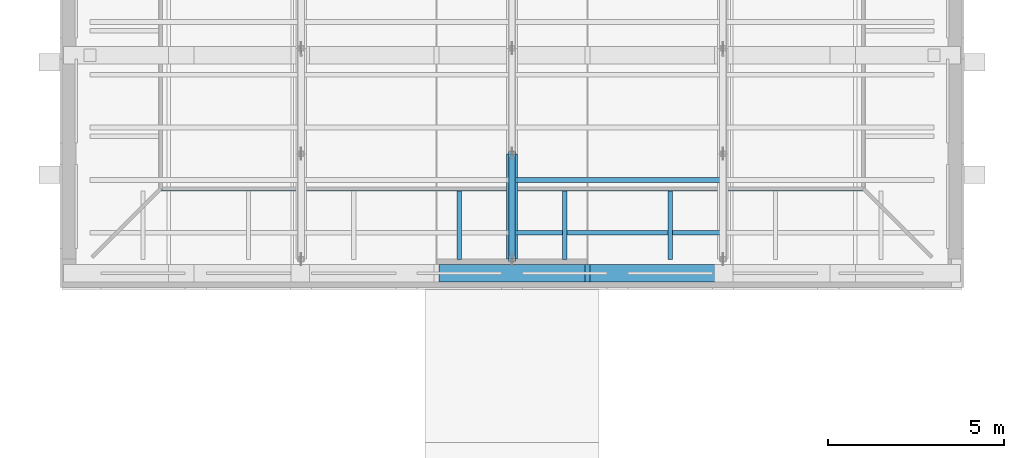
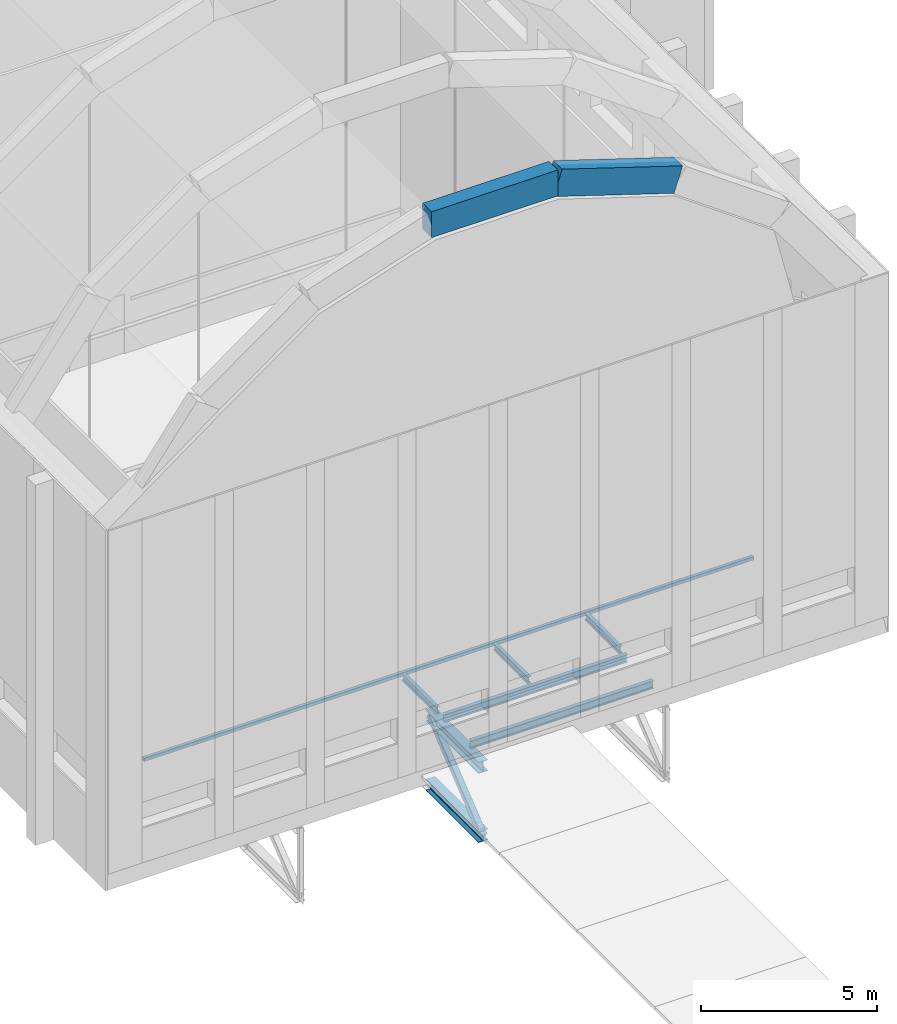
# One storey, part 3 of 55: 7 members, 4 beams.
"""IFC4 building model written with IfcOpenShell, lengths in metres."""

import ifcopenshell
import ifcopenshell.guid

model = None  # the IFC model being written
_history = None  # IfcOwnerHistory: only IFC2X3 demands one
_inside = {}  # id of a spatial element -> (the spatial element, [elements in it])
_under = {}  # id of a project, library or spatial element -> (it, [spatial elements below it])
_declared = {}  # id of a project -> (the project, [libraries it declares])
_typed = {}  # id of a type object -> (the type object, [elements of that type])
_made_of = {}  # id of a material, layer set ... -> (it, [elements and type objects made of it])


def new_model(schema):
    """Start an empty IFC model of exactly this schema.

    Asked for "IFC4X3", IfcOpenShell would pick the latest addendum, in which some entities
    have other attributes; the version numbers below select the first issue.
    IFC2X3 requires an IfcOwnerHistory on every rooted entity: one is made here for all.
    """
    global model, _history
    if schema == "IFC4X3":
        model = ifcopenshell.file(schema_version=(4, 3, 0, 0))
    else:
        model = ifcopenshell.file(schema=schema)
    _inside.clear()
    _under.clear()
    _declared.clear()
    _typed.clear()
    _made_of.clear()
    _history = None
    if model.schema == "IFC2X3":
        org = make("IfcOrganization", Name="unknown")
        user = make(
            "IfcPersonAndOrganization",
            ThePerson=make("IfcPerson", FamilyName="unknown"),
            TheOrganization=org,
        )
        app = make(
            "IfcApplication",
            ApplicationDeveloper=org,
            Version="unknown",
            ApplicationFullName="unknown",
            ApplicationIdentifier="unknown",
        )
        _history = make(
            "IfcOwnerHistory",
            OwningUser=user,
            OwningApplication=app,
            ChangeAction="ADDED",
            CreationDate=0,
        )
    return model


def make(cls, **values):
    """One entity of the class cls with the attributes given. An attribute that is None is left unset."""
    return model.create_entity(
        cls, **{name: value for name, value in values.items() if value is not None}
    )


def rooted(cls, **values):
    """An entity with a GlobalId (a new one), such as an element, a storey or a relation."""
    return make(cls, GlobalId=ifcopenshell.guid.new(), OwnerHistory=_history, **values)


def si_unit(unit_type, name, prefix=None):
    """IfcSIUnit, for example si_unit("LENGTHUNIT", "METRE", prefix="MILLI")."""
    return make("IfcSIUnit", UnitType=unit_type, Prefix=prefix, Name=name)


def assignment(units):
    """IfcUnitAssignment: the units of a project."""
    return None if units is None else make("IfcUnitAssignment", Units=units)


def point(xyz):
    """IfcCartesianPoint."""
    return None if xyz is None else make("IfcCartesianPoint", Coordinates=xyz)


def direction(xyz):
    """IfcDirection."""
    return None if xyz is None else make("IfcDirection", DirectionRatios=xyz)


def frame(location, z_axis=None, x_axis=None):
    """IfcAxis2Placement3D, a coordinate frame: its origin and axes. An axis left out is left unset."""
    return make(
        "IfcAxis2Placement3D",
        Location=point(location),
        Axis=direction(z_axis),
        RefDirection=direction(x_axis),
    )


def frame_2d(location, x_axis=None):
    """IfcAxis2Placement2D, a coordinate frame in the plane: its origin and x axis."""
    return make(
        "IfcAxis2Placement2D", Location=point(location), RefDirection=direction(x_axis)
    )


def origin():
    """The frame at (0, 0, 0) with its axes left unset."""
    return frame((0.0, 0.0, 0.0))


def origin_2d():
    """The frame at (0, 0) in the plane with its x axis left unset."""
    return frame_2d((0.0, 0.0))


def place(relative_to, where):
    """IfcLocalPlacement: puts the frame where relative to a parent placement (None: the world)."""
    return make(
        "IfcLocalPlacement", PlacementRelTo=relative_to, RelativePlacement=where
    )


def context(
    kind, dimensions, precision=None, world=None, true_north=None, identifier=None
):
    """IfcGeometricRepresentationContext, for example the 3D "Model" context."""
    return make(
        "IfcGeometricRepresentationContext",
        ContextIdentifier=identifier,
        ContextType=kind,
        CoordinateSpaceDimension=dimensions,
        Precision=precision,
        WorldCoordinateSystem=world,
        TrueNorth=true_north,
    )


def subcontext(parent, identifier, kind, view, scale=None):
    """IfcGeometricRepresentationSubContext, for example "Body" below "Model"."""
    return make(
        "IfcGeometricRepresentationSubContext",
        ContextIdentifier=identifier,
        ContextType=kind,
        ParentContext=parent,
        TargetScale=scale,
        TargetView=view,
    )


def project(units=None, contexts=None):
    """IfcProject with its units and contexts."""
    return rooted(
        "IfcProject",
        Name="project",
        RepresentationContexts=contexts,
        UnitsInContext=assignment(units),
    )


def spatial(cls, under=None, at=None, **own):
    """A site, building, storey or space (cls), placed at a placement, below another one or the project."""
    s = rooted(cls, ObjectPlacement=at, **own)
    if under is not None:
        _under.setdefault(under.id(), (under, []))[1].append(s)
    return s


def profile(cls, at=None, kind="AREA", **sizes):
    """A parametric profile (cls). Its sizes go by their IFC names, for example OverallWidth=200.0."""
    return make(cls, ProfileType=kind, Position=at, **sizes)


def rectangle(**sizes):
    """IfcRectangleProfileDef."""
    return profile("IfcRectangleProfileDef", **sizes)


def hollow_rectangle(**sizes):
    """IfcRectangleHollowProfileDef."""
    return profile("IfcRectangleHollowProfileDef", **sizes)


def i_section(**sizes):
    """IfcIShapeProfileDef."""
    return profile("IfcIShapeProfileDef", **sizes)


def extrude(swept, where, along, depth):
    """IfcExtrudedAreaSolid: the profile swept, set in the frame where, extruded along a direction by depth."""
    return make(
        "IfcExtrudedAreaSolid",
        SweptArea=swept,
        Position=where,
        ExtrudedDirection=direction(along),
        Depth=depth,
    )


def shape(context_of_items, identifier, shape_type, items):
    """IfcShapeRepresentation: the items that make up one representation, for example the "Body"."""
    return make(
        "IfcShapeRepresentation",
        ContextOfItems=context_of_items,
        RepresentationIdentifier=identifier,
        RepresentationType=shape_type,
        Items=items,
    )


def material(Name=None, Category=None):
    """IfcMaterial."""
    return make("IfcMaterial", Name=Name, Category=Category)


def material_profile(
    of_material, cross_section, Name=None, Category=None, Priority=None
):
    """IfcMaterialProfile: a cross section and its material."""
    return make(
        "IfcMaterialProfile",
        Name=Name,
        Material=of_material,
        Profile=cross_section,
        Priority=Priority,
        Category=Category,
    )


def profile_set(profiles, Name=None, composite=None):
    """IfcMaterialProfileSet."""
    return make(
        "IfcMaterialProfileSet",
        Name=Name,
        MaterialProfiles=profiles,
        CompositeProfile=composite,
    )


def made_of(thing, what):
    """Note that an element or type object is made of a material, layer set ...; save() writes the relation."""
    if what is not None:
        _made_of.setdefault(what.id(), (what, []))[1].append(thing)
    return thing


def type_object(cls, material=None, **own):
    """A type object (cls), such as IfcWallType, which elements share."""
    return made_of(rooted(cls, **own), material)


def element(
    cls,
    number,
    at=None,
    inside=None,
    cuts=None,
    type_object=None,
    material=None,
    context=None,
    identifier="Body",
    shape_type=None,
    held_by="IfcProductDefinitionShape",
    body=None,
    shapes=None,
    **own,
):
    """One element of the class cls, such as IfcWall. Its Tag is "e" and its number.

    at: its placement. inside: the storey or other place that contains it. cuts: it is an
    opening in that element (IfcRelVoidsElement). A single representation is given by context,
    identifier, shape_type and body (its items); several are given by shapes. held_by: the class
    of the entity that holds the representations. save() writes the other relations.
    """
    e = rooted(cls, Tag="e%d" % number, ObjectPlacement=at, **own)
    if body is not None:
        shapes = [shape(context, identifier, shape_type, body)]
    if shapes is not None:
        e.Representation = make(held_by, Representations=shapes)
    if inside is not None:
        _inside.setdefault(inside.id(), (inside, []))[1].append(e)
    if cuts is not None:
        rooted(
            "IfcRelVoidsElement", RelatingBuildingElement=cuts, RelatedOpeningElement=e
        )
    if type_object is not None:
        _typed.setdefault(type_object.id(), (type_object, []))[1].append(e)
    return made_of(e, material)


def aggregate(whole, parts):
    """IfcRelAggregates: a whole, such as a stair, and the parts it consists of."""
    return rooted("IfcRelAggregates", RelatingObject=whole, RelatedObjects=parts)


def save(model, path):
    """Write the relations noted so far, then the file.

    IfcRelAggregates (storeys below a building ...), IfcRelContainedInSpatialStructure (elements
    in a storey), IfcRelDefinesByType, IfcRelAssociatesMaterial and IfcRelDeclares: one each for
    every whole, place, type object, material and project.
    """
    for whole, parts in _under.values():
        aggregate(whole, parts)
    for where, things in _inside.values():
        rooted(
            "IfcRelContainedInSpatialStructure",
            RelatedElements=things,
            RelatingStructure=where,
        )
    for kind, things in _typed.values():
        rooted("IfcRelDefinesByType", RelatedObjects=things, RelatingType=kind)
    for what, things in _made_of.values():
        rooted("IfcRelAssociatesMaterial", RelatedObjects=things, RelatingMaterial=what)
    for by, libraries in _declared.values():
        rooted("IfcRelDeclares", RelatingContext=by, RelatedDefinitions=libraries)
    model.write(path)


model = new_model("IFC4")

# Units and contexts
model_context = context("Model", 3, precision=1e-05, world=origin(), true_north=direction((0.0, 1.0)))
body_context = subcontext(model_context, "Body", "Model", "MODEL_VIEW")
ifc_project = project(units=[si_unit("LENGTHUNIT", "METRE"), si_unit("AREAUNIT", "SQUARE_METRE"), si_unit("VOLUMEUNIT", "CUBIC_METRE"), si_unit("PLANEANGLEUNIT", "RADIAN"), si_unit("MASSUNIT", "GRAM", prefix="KILO")], contexts=[model_context])

# Site, building, storey
site_placement = place(None, origin())
site = spatial("IfcSite", under=ifc_project, at=site_placement, CompositionType="ELEMENT")
building_placement = place(site_placement, origin())
building = spatial("IfcBuilding", under=site, at=building_placement, Name="Lunette Opera House", CompositionType="ELEMENT")
storey_placement = place(building_placement, frame((0.0, 0.0, 34.0)))
storey = spatial("IfcBuildingStorey", under=building, at=storey_placement, Name="L06", CompositionType="ELEMENT", Elevation=34.0)

# Beams
ifc_material_1 = material(Name="Concrete C40/50", Category="concrete")
ifc_material_profile_1 = material_profile(ifc_material_1, rectangle(XDim=0.5, YDim=0.89990234375, at=origin_2d()), Name="ARCH BEAM 500X900")
ifc_profile_set_1 = profile_set([ifc_material_profile_1], Name="Concrete C40/50")
beam_type_1 = type_object("IfcBeamType", Name="ARCH BEAM 500X900", PredefinedType="BEAM", material=ifc_profile_set_1)
beam_1_placement = place(storey_placement, frame((93.924072265625, 95.60009765625, 19.251953125), z_axis=(1.0, 0.0, 0.0), x_axis=(0.0, 1.0, 0.0)))
element("IfcBeam", 1, at=beam_1_placement, inside=storey, type_object=beam_type_1, Name="beam-ST-L06-EAT1-4", PredefinedType="BEAM", context=body_context, shape_type="SweptSolid", body=[
    extrude(rectangle(XDim=0.5, YDim=0.89990234375, at=origin_2d()), origin(), (0.0, 0.0, 1.0), 4.15185546875),
])
beam_2_placement = place(storey_placement, frame((98.075927734375, 95.60009765625, 19.251953125), z_axis=(0.952116578893, 0.0, -0.305735212556), x_axis=(0.0, 1.0, 0.0)))
element("IfcBeam", 2, at=beam_2_placement, inside=storey, type_object=beam_type_1, Name="beam-ST-L06-EAT1-5", PredefinedType="BEAM", context=body_context, shape_type="SweptSolid", body=[
    extrude(rectangle(XDim=0.5, YDim=0.89990234375, at=origin_2d()), origin(), (0.0, 0.0, 1.0), 4.154052734375),
])

# Members
ifc_material_2 = material(Name="Steel S355", Category="steel")
ifc_material_profile_2 = material_profile(ifc_material_2, i_section(OverallWidth=0.1201171875, OverallDepth=0.239990234375, WebThickness=0.006103515625, FlangeThickness=0.009765625, FilletRadius=0.014892578125, at=origin_2d()), Name="IPE 240")
ifc_profile_set_2 = profile_set([ifc_material_profile_2], Name="Steel S355")
member_type_1 = type_object("IfcMemberType", Name="BRACKET IPE 240", PredefinedType="MEMBER", material=ifc_profile_set_2)
for number, where, z_axis, x_axis, name in (
    (3, (94.5, 95.989990234375, 1.820068359375), (0.0, 1.0, 0.0), (-1.0, 0.0, 0.0), "mem-ST-L06-LOFT-BKS945-959"),
    (4, (97.5, 95.989990234375, 1.820068359375), (0.0, 1.0, 0.0), (-1.0, 0.0, 0.0), "mem-ST-L06-LOFT-BKS975-959"),
    (5, (100.5, 95.989990234375, 1.820068359375), (0.0, 1.0, 0.0), (-1.0, 0.0, 0.0), "mem-ST-L06-LOFT-BKS1005-959"),
):
    element("IfcMember", number, at=place(storey_placement, frame(where, z_axis=z_axis, x_axis=x_axis)), inside=storey, type_object=member_type_1, Name=name, PredefinedType="MEMBER", context=body_context, shape_type="SweptSolid", body=[
        extrude(i_section(OverallWidth=0.1201171875, OverallDepth=0.239990234375, WebThickness=0.006103515625, FlangeThickness=0.009765625, FilletRadius=0.014892578125, at=origin_2d()), origin(), (0.0, 0.0, 1.0), 1.949951171875),
    ])
ifc_material_3 = material(Name="Steel S355", Category="steel")
ifc_material_profile_3 = material_profile(ifc_material_3, i_section(OverallWidth=0.300048828125, OverallDepth=0.389892578125, WebThickness=0.010986328125, FlangeThickness=0.01904296875, FilletRadius=0.027099609375, at=origin_2d()), Name="HEA 400")
ifc_profile_set_3 = profile_set([ifc_material_profile_3], Name="Steel S355")
member_type_2 = type_object("IfcMemberType", Name="CHORD HEA 400", PredefinedType="CHORD", material=ifc_profile_set_3)
for number, where, z_axis, x_axis, name in (
    (6, (96.0, 96.0, -0.6650390625), (0.0, 1.0, 0.0), (-1.0, 0.0, 0.0), "mem-ST-L06-ST-TR02-TC1"),
    (7, (96.0, 96.0, -3.06494140625), (0.0, 1.0, 0.0), (-1.0, 0.0, 0.0), "mem-ST-L06-ST-TR02-BC1"),
):
    element("IfcMember", number, at=place(storey_placement, frame(where, z_axis=z_axis, x_axis=x_axis)), inside=storey, type_object=member_type_2, Name=name, PredefinedType="CHORD", context=body_context, shape_type="SweptSolid", body=[
        extrude(i_section(OverallWidth=0.300048828125, OverallDepth=0.389892578125, WebThickness=0.010986328125, FlangeThickness=0.01904296875, FilletRadius=0.027099609375, at=origin_2d()), origin(), (0.0, 0.0, 1.0), 3.0),
    ])
ifc_material_4 = material(Name="Steel S355", Category="steel")
ifc_material_profile_4 = material_profile(ifc_material_4, hollow_rectangle(XDim=0.199951171875, YDim=0.199951171875, WallThickness=0.008056640625, InnerFilletRadius=0.008056640625, OuterFilletRadius=0.01611328125, at=origin_2d()), Name="RHS 200X200X8")
ifc_profile_set_4 = profile_set([ifc_material_profile_4], Name="Steel S355")
member_type_3 = type_object("IfcMemberType", Name="DIAGONAL RHS 200X200X8", PredefinedType="BRACE", material=ifc_profile_set_4)
member_1_placement = place(storey_placement, frame((96.0, 96.0, -3.06494140625), z_axis=(0.0, 0.780881208953, 0.624679547852), x_axis=(-1.0, 0.0, 0.0)))
element("IfcMember", 8, at=member_1_placement, inside=storey, type_object=member_type_3, Name="mem-ST-L06-ST-TR02-TD1", PredefinedType="BRACE", context=body_context, shape_type="SweptSolid", body=[
    extrude(hollow_rectangle(XDim=0.199951171875, YDim=0.199951171875, WallThickness=0.008056640625, InnerFilletRadius=0.008056640625, OuterFilletRadius=0.01611328125, at=origin_2d()), origin(), (0.0, 0.0, 1.0), 3.841796875),
])
ifc_material_5 = material(Name="Steel S355", Category="steel")
ifc_material_profile_5 = material_profile(ifc_material_5, hollow_rectangle(XDim=0.1201171875, YDim=0.1201171875, WallThickness=0.006103515625, InnerFilletRadius=0.006103515625, OuterFilletRadius=0.011962890625, at=origin_2d()), Name="RHS 120X120X6")
ifc_profile_set_5 = profile_set([ifc_material_profile_5], Name="Steel S355")
member_type_4 = type_object("IfcMemberType", Name="EDGE RHS 120X120X6", PredefinedType="MEMBER", material=ifc_profile_set_5)
member_2_placement = place(storey_placement, frame((86.0, 98.0, 1.8798828125), z_axis=(1.0, 0.0, 0.0), x_axis=(0.0, 1.0, 0.0)))
element("IfcMember", 9, at=member_2_placement, inside=storey, type_object=member_type_4, Name="mem-ST-L06-LOFT-EDS", PredefinedType="MEMBER", context=body_context, shape_type="SweptSolid", body=[
    extrude(hollow_rectangle(XDim=0.1201171875, YDim=0.1201171875, WallThickness=0.006103515625, InnerFilletRadius=0.006103515625, OuterFilletRadius=0.011962890625, at=origin_2d()), origin(), (0.0, 0.0, 1.0), 20.0),
])

# Beams
ifc_material_6 = material(Name="Steel S355", Category="steel")
ifc_material_profile_6 = material_profile(ifc_material_6, i_section(OverallWidth=0.135009765625, OverallDepth=0.27001953125, WebThickness=0.006591796875, FlangeThickness=0.01025390625, FilletRadius=0.014892578125, at=origin_2d()), Name="IPE 270")
ifc_profile_set_6 = profile_set([ifc_material_profile_6], Name="Steel S355")
beam_type_2 = type_object("IfcBeamType", Name="STEEL BEAM IPE 270", PredefinedType="BEAM", material=ifc_profile_set_6)
for number, where, z_axis, x_axis, name in (
    (10, (96.0, 96.75, -0.3349609375), (1.0, 0.0, 0.0), (0.0, 1.0, 0.0), "beam-ST-L06-GRID-9675-3"),
    (11, (96.0, 98.25, -0.3349609375), (1.0, 0.0, 0.0), (0.0, 1.0, 0.0), "beam-ST-L06-GRID-9825-3"),
):
    element("IfcBeam", number, at=place(storey_placement, frame(where, z_axis=z_axis, x_axis=x_axis)), inside=storey, type_object=beam_type_2, Name=name, PredefinedType="BEAM", context=body_context, shape_type="SweptSolid", body=[
        extrude(i_section(OverallWidth=0.135009765625, OverallDepth=0.27001953125, WebThickness=0.006591796875, FlangeThickness=0.01025390625, FilletRadius=0.014892578125, at=origin_2d()), origin(), (0.0, 0.0, 1.0), 6.0),
    ])

save(model, "model.ifc")
